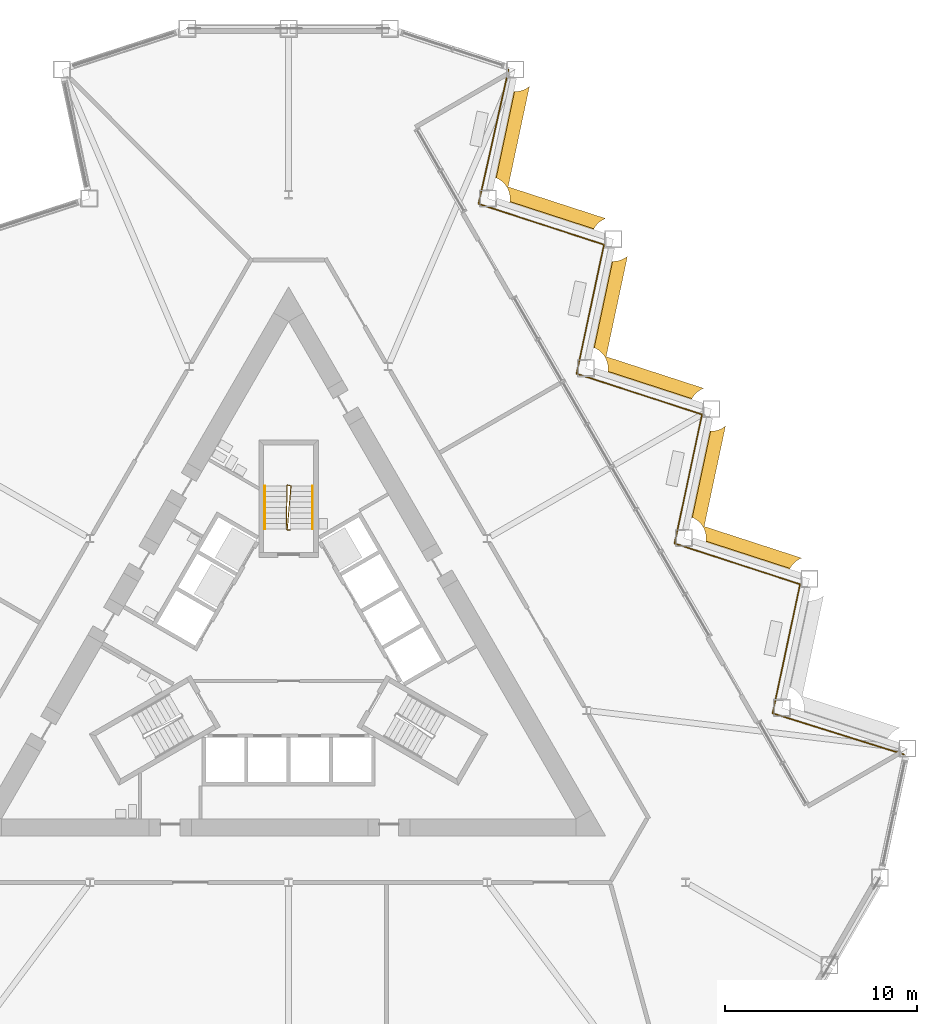
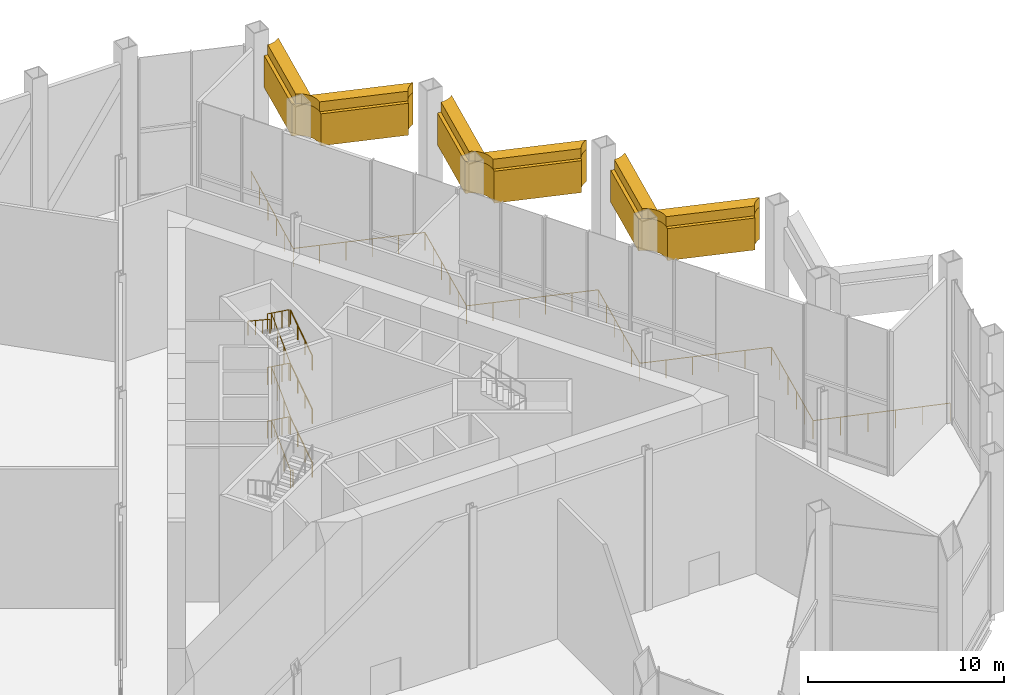
# One storey, part 16 of 18: 6 coverings, 6 railings.
"""IFC4 building model written with IfcOpenShell, lengths in metres."""

from ifc_helpers import new_model, si_unit, direction, frame, origin, origin_2d, place, context, subcontext, project, spatial, polyline, circle, outline, extrude, material, layer, layer_set, type_object, element, save


model = new_model("IFC4")

# Units and contexts
model_context = context("Model", 3, precision=1e-05, world=origin(), true_north=direction((0.0, 1.0)))
body_context = subcontext(model_context, "Body", "Model", "MODEL_VIEW")
ifc_project = project(units=[si_unit("LENGTHUNIT", "METRE"), si_unit("AREAUNIT", "SQUARE_METRE"), si_unit("VOLUMEUNIT", "CUBIC_METRE"), si_unit("PLANEANGLEUNIT", "RADIAN"), si_unit("MASSUNIT", "GRAM", prefix="KILO")], contexts=[model_context])

# Site, building, storey
site_placement = place(None, origin())
site = spatial("IfcSite", under=ifc_project, at=site_placement, CompositionType="ELEMENT")
building_placement = place(site_placement, origin())
building = spatial("IfcBuilding", under=site, at=building_placement, Name="Cormorant Prow Tower", CompositionType="ELEMENT")
storey_placement = place(building_placement, frame((0.0, 0.0, 154.199951171875)))
storey = spatial("IfcBuildingStorey", under=building, at=storey_placement, Name="L33", CompositionType="ELEMENT", Elevation=154.199951171875)

# Railings
ifc_material_1 = material(Name="Stainless steel", Category="steel")
railing_type_1 = type_object("IfcRailingType", Name="Stair guard 1100", PredefinedType="GUARDRAIL", material=ifc_material_1)
railing_1_placement = place(storey_placement, frame((0.074951171875, 6.40576171875, 0.0)))
element("IfcRailing", 1, at=railing_1_placement, inside=storey, type_object=railing_type_1, Name="L33 ST3 stair guard 1", PredefinedType="GUARDRAIL", context=body_context, shape_type="SweptSolid", body=[
    extrude(circle(Radius=0.02392578125, at=origin_2d()), frame((0.0, 0.0, 1.076171875), z_axis=(-1.0, 0.0, 0.0), x_axis=(0.0, -1.0, 0.0)), (0.0, 0.0, 1.0), 0.14990234375),
    extrude(circle(Radius=0.02392578125, at=origin_2d()), frame((-0.14990234375, 0.0, 1.076171875), z_axis=(0.070419712809, 0.806516368928, 0.587002905189), x_axis=(-0.996209839609, 0.086982500921, 0.0)), (0.0, 0.0, 1.0), 2.83935546875),
    extrude(circle(Radius=0.02392578125, at=origin_2d()), frame((0.050048828125, 2.2900390625, 2.74267578125), z_axis=(-0.970072785993, 0.242814311512, 0.0), x_axis=(-0.242814311512, -0.970072785993, 0.0)), (0.0, 0.0, 1.0), 0.2060546875),
    extrude(circle(Radius=0.02392578125, at=origin_2d()), frame((-0.14990234375, 2.340087890625, 2.74267578125), z_axis=(-0.017667533181, -0.80839737189, 0.58837194647), x_axis=(0.999761264773, -0.0218497931, 0.0)), (0.0, 0.0, 1.0), 2.832763671875),
    extrude(circle(Radius=0.02392578125, at=origin_2d()), frame((-0.199951171875, 0.050048828125, 4.40966796875), z_axis=(0.707106781187, -0.707106781187, 0.0), x_axis=(0.707106781187, 0.707106781187, 0.0)), (0.0, 0.0, 1.0), 0.07080078125),
    extrude(circle(Radius=0.02392578125, at=origin_2d()), frame((-0.14990234375, 0.0, 4.40966796875), z_axis=(0.070423267043, 0.80655707553, 0.586946545583), x_axis=(-0.996209839609, 0.086982500921, 0.0)), (0.0, 0.0, 1.0), 2.83935546875),
    extrude(circle(Radius=0.02392578125, at=origin_2d()), frame((0.050048828125, 2.2900390625, 6.076171875), z_axis=(-0.970072785993, 0.242814311512, 0.0), x_axis=(-0.242814311512, -0.970072785993, 0.0)), (0.0, 0.0, 1.0), 0.2060546875),
    extrude(circle(Radius=0.02392578125, at=origin_2d()), frame((-0.14990234375, 2.340087890625, 6.076171875), z_axis=(-0.017667533181, -0.80839737189, 0.58837194647), x_axis=(0.999761264773, -0.0218497931, 0.0)), (0.0, 0.0, 1.0), 2.832763671875),
    extrude(circle(Radius=0.02392578125, at=origin_2d()), frame((-0.199951171875, 0.050048828125, 7.74267578125), z_axis=(0.707106781187, -0.707106781187, 0.0), x_axis=(0.707106781187, 0.707106781187, 0.0)), (0.0, 0.0, 1.0), 0.07080078125),
    extrude(circle(Radius=0.02392578125, at=origin_2d()), frame((-0.14990234375, 0.0, 7.74267578125), z_axis=(0.070419712809, 0.806516368928, 0.587002905189), x_axis=(-0.996209839609, 0.086982500921, 0.0)), (0.0, 0.0, 1.0), 2.83935546875),
    extrude(circle(Radius=0.02392578125, at=origin_2d()), frame((0.050048828125, 2.2900390625, 9.40966796875), z_axis=(-0.970072785993, 0.242814311512, 0.0), x_axis=(-0.242814311512, -0.970072785993, 0.0)), (0.0, 0.0, 1.0), 0.2060546875),
    extrude(circle(Radius=0.02392578125, at=origin_2d()), frame((-0.14990234375, 2.340087890625, 9.40966796875), z_axis=(-0.017668429064, -0.808438363986, 0.58831559409), x_axis=(0.999761264773, -0.0218497931, 0.0)), (0.0, 0.0, 1.0), 2.832763671875),
    extrude(circle(Radius=0.02099609375, at=origin_2d()), origin(), (0.0, 0.0, 1.0), 1.052001953125),
    extrude(circle(Radius=0.02099609375, at=origin_2d()), frame((-0.14990234375, 0.0, 0.0)), (0.0, 0.0, 1.0), 1.052001953125),
    extrude(circle(Radius=0.02099609375, at=origin_2d()), frame((-0.083251953125, 0.763427734375, 0.5556640625)), (0.0, 0.0, 1.0), 1.052001953125),
    extrude(circle(Radius=0.02099609375, at=origin_2d()), frame((-0.0166015625, 1.526611328125, 1.111083984375)), (0.0, 0.0, 1.0), 1.052001953125),
    extrude(circle(Radius=0.02099609375, at=origin_2d()), frame((0.050048828125, 2.2900390625, 1.666748046875)), (0.0, 0.0, 1.0), 1.052001953125),
    extrude(circle(Radius=0.02099609375, at=origin_2d()), frame((-0.14990234375, 2.340087890625, 1.666748046875)), (0.0, 0.0, 1.0), 1.052001953125),
    extrude(circle(Radius=0.02099609375, at=origin_2d()), frame((-0.16650390625, 1.57666015625, 2.222412109375)), (0.0, 0.0, 1.0), 1.052001953125),
    extrude(circle(Radius=0.02099609375, at=origin_2d()), frame((-0.183349609375, 0.8134765625, 2.77783203125)), (0.0, 0.0, 1.0), 1.052001953125),
    extrude(circle(Radius=0.02099609375, at=origin_2d()), frame((-0.199951171875, 0.050048828125, 3.33349609375)), (0.0, 0.0, 1.0), 1.052001953125),
    extrude(circle(Radius=0.02099609375, at=origin_2d()), frame((-0.14990234375, 0.0, 3.33349609375)), (0.0, 0.0, 1.0), 1.052001953125),
    extrude(circle(Radius=0.02099609375, at=origin_2d()), frame((-0.083251953125, 0.763427734375, 3.888916015625)), (0.0, 0.0, 1.0), 1.052001953125),
    extrude(circle(Radius=0.02099609375, at=origin_2d()), frame((-0.0166015625, 1.526611328125, 4.444580078125)), (0.0, 0.0, 1.0), 1.052001953125),
    extrude(circle(Radius=0.02099609375, at=origin_2d()), frame((0.050048828125, 2.2900390625, 5.0)), (0.0, 0.0, 1.0), 1.052001953125),
    extrude(circle(Radius=0.02099609375, at=origin_2d()), frame((-0.14990234375, 2.340087890625, 5.0)), (0.0, 0.0, 1.0), 1.052001953125),
    extrude(circle(Radius=0.02099609375, at=origin_2d()), frame((-0.16650390625, 1.57666015625, 5.5556640625)), (0.0, 0.0, 1.0), 1.052001953125),
    extrude(circle(Radius=0.02099609375, at=origin_2d()), frame((-0.183349609375, 0.8134765625, 6.111083984375)), (0.0, 0.0, 1.0), 1.052001953125),
    extrude(circle(Radius=0.02099609375, at=origin_2d()), frame((-0.199951171875, 0.050048828125, 6.666748046875)), (0.0, 0.0, 1.0), 1.052001953125),
    extrude(circle(Radius=0.02099609375, at=origin_2d()), frame((-0.14990234375, 0.0, 6.666748046875)), (0.0, 0.0, 1.0), 1.052001953125),
    extrude(circle(Radius=0.02099609375, at=origin_2d()), frame((-0.083251953125, 0.763427734375, 7.222412109375)), (0.0, 0.0, 1.0), 1.052001953125),
    extrude(circle(Radius=0.02099609375, at=origin_2d()), frame((-0.0166015625, 1.526611328125, 7.77783203125)), (0.0, 0.0, 1.0), 1.052001953125),
    extrude(circle(Radius=0.02099609375, at=origin_2d()), frame((0.050048828125, 2.2900390625, 8.33349609375)), (0.0, 0.0, 1.0), 1.052001953125),
    extrude(circle(Radius=0.02099609375, at=origin_2d()), frame((-0.14990234375, 2.340087890625, 8.33349609375)), (0.0, 0.0, 1.0), 1.052001953125),
    extrude(circle(Radius=0.02099609375, at=origin_2d()), frame((-0.16650390625, 1.57666015625, 8.888916015625)), (0.0, 0.0, 1.0), 1.052001953125),
    extrude(circle(Radius=0.02099609375, at=origin_2d()), frame((-0.183349609375, 0.8134765625, 9.444580078125)), (0.0, 0.0, 1.0), 1.052001953125),
    extrude(circle(Radius=0.02099609375, at=origin_2d()), frame((-0.199951171875, 0.050048828125, 10.0)), (0.0, 0.0, 1.0), 1.052001953125),
])
ifc_material_2 = material(Name="Stainless steel", Category="steel")
railing_type_2 = type_object("IfcRailingType", Name="Stair handrail 900", PredefinedType="HANDRAIL", material=ifc_material_2)
for number, where, name in (
    (2, (1.243896484375, 6.455810546875, 0.185302734375), "L33 ST3 stair handrail 1"),
    (3, (1.243896484375, 6.455810546875, 3.5185546875), "L33 ST3 stair handrail 3"),
):
    element("IfcRailing", number, at=place(storey_placement, frame(where)), inside=storey, type_object=railing_type_2, Name=name, PredefinedType="HANDRAIL", context=body_context, shape_type="SweptSolid", body=[
        extrude(circle(Radius=0.02392578125, at=origin_2d()), frame((0.0, 0.0, 0.8759765625), z_axis=(0.0, 0.83408660425, 0.551633516577), x_axis=(-1.0, 0.0, 0.0)), (0.0, 0.0, 1.0), 2.685546875),
        extrude(circle(Radius=0.02099609375, at=origin_2d()), origin(), (0.0, 0.0, 1.0), 0.851806640625),
        extrude(circle(Radius=0.02099609375, at=origin_2d()), frame((0.0, 0.74658203125, 0.493896484375)), (0.0, 0.0, 1.0), 0.851806640625),
        extrude(circle(Radius=0.02099609375, at=origin_2d()), frame((0.0, 1.493408203125, 0.987548828125)), (0.0, 0.0, 1.0), 0.851806640625),
        extrude(circle(Radius=0.02099609375, at=origin_2d()), frame((0.0, 2.239990234375, 1.4814453125)), (0.0, 0.0, 1.0), 0.851806640625),
    ])
railing_2_placement = place(storey_placement, frame((1.243896484375, 6.455810546875, 6.851806640625)))
element("IfcRailing", 4, at=railing_2_placement, inside=storey, type_object=railing_type_2, Name="L33 ST3 stair handrail 5", PredefinedType="HANDRAIL", context=body_context, shape_type="SweptSolid", body=[
    extrude(circle(Radius=0.02392578125, at=origin_2d()), frame((0.0, 0.0, 0.8759765625), z_axis=(0.0, 0.834044775973, 0.551696756989), x_axis=(-1.0, 0.0, 0.0)), (0.0, 0.0, 1.0), 2.685791015625),
    extrude(circle(Radius=0.02099609375, at=origin_2d()), origin(), (0.0, 0.0, 1.0), 0.851806640625),
    extrude(circle(Radius=0.02099609375, at=origin_2d()), frame((0.0, 0.74658203125, 0.493896484375)), (0.0, 0.0, 1.0), 0.851806640625),
    extrude(circle(Radius=0.02099609375, at=origin_2d()), frame((0.0, 1.493408203125, 0.98779296875)), (0.0, 0.0, 1.0), 0.851806640625),
    extrude(circle(Radius=0.02099609375, at=origin_2d()), frame((0.0, 2.239990234375, 1.481689453125)), (0.0, 0.0, 1.0), 0.851806640625),
])
railing_3_placement = place(storey_placement, frame((-1.243896484375, 8.69580078125, 8.5185546875)))
element("IfcRailing", 5, at=railing_3_placement, inside=storey, type_object=railing_type_2, Name="L33 ST3 stair handrail 6", PredefinedType="HANDRAIL", context=body_context, shape_type="SweptSolid", body=[
    extrude(circle(Radius=0.02392578125, at=origin_2d()), frame((0.0, 0.0, 0.8759765625), z_axis=(0.0, -0.83408660425, 0.551633516577), x_axis=(1.0, 0.0, 0.0)), (0.0, 0.0, 1.0), 2.685546875),
    extrude(circle(Radius=0.02099609375, at=origin_2d()), origin(), (0.0, 0.0, 1.0), 0.851806640625),
    extrude(circle(Radius=0.02099609375, at=origin_2d()), frame((0.0, -0.74658203125, 0.493896484375)), (0.0, 0.0, 1.0), 0.851806640625),
    extrude(circle(Radius=0.02099609375, at=origin_2d()), frame((0.0, -1.493408203125, 0.987548828125)), (0.0, 0.0, 1.0), 0.851806640625),
    extrude(circle(Radius=0.02099609375, at=origin_2d()), frame((0.0, -2.239990234375, 1.4814453125)), (0.0, 0.0, 1.0), 0.851806640625),
])
ifc_material_3 = material(Name="Aluminium 6063-T6", Category="aluminium")
railing_type_3 = type_object("IfcRailingType", Name="Terrace guard 1150", PredefinedType="GUARDRAIL", material=ifc_material_3)
railing_4_placement = place(storey_placement, frame((32.011474609375, -5.271240234375, 0.0)))
element("IfcRailing", 6, at=railing_4_placement, inside=storey, type_object=railing_type_3, Name="Terrace guard ENE", PredefinedType="GUARDRAIL", context=body_context, shape_type="SweptSolid", body=[
    extrude(circle(Radius=0.02392578125, at=origin_2d()), frame((0.0, 0.0, 1.1259765625), z_axis=(-0.954182191953, 0.299226243099, 0.0), x_axis=(-0.299226243099, -0.954182191953, 0.0)), (0.0, 0.0, 1.0), 7.15966796875),
    extrude(circle(Radius=0.02392578125, at=origin_2d()), frame((-6.83154296875, 2.142333984375, 1.1259765625), z_axis=(0.207910666024, 0.97814781856, 0.0), x_axis=(-0.97814781856, 0.207910666024, 0.0)), (0.0, 0.0, 1.0), 6.8623046875),
    extrude(circle(Radius=0.02392578125, at=origin_2d()), frame((-5.40478515625, 8.854736328125, 1.1259765625), z_axis=(-0.951046878407, 0.309046655172, 0.0), x_axis=(-0.309046655172, -0.951046878407, 0.0)), (0.0, 0.0, 1.0), 6.862548828125),
    extrude(circle(Radius=0.02392578125, at=origin_2d()), frame((-11.931396484375, 10.9755859375, 1.1259765625), z_axis=(0.207903431115, 0.978149356351, 0.0), x_axis=(-0.978149356351, 0.207903431115, 0.0)), (0.0, 0.0, 1.0), 6.862548828125),
    extrude(circle(Radius=0.02392578125, at=origin_2d()), frame((-10.504638671875, 17.688232421875, 1.1259765625), z_axis=(-0.951060731322, 0.309004021555, 0.0), x_axis=(-0.309004021555, -0.951060731322, 0.0)), (0.0, 0.0, 1.0), 6.86279296875),
    extrude(circle(Radius=0.02392578125, at=origin_2d()), frame((-17.031494140625, 19.808837890625, 1.1259765625), z_axis=(0.207937468562, 0.97814212115, 0.0), x_axis=(-0.97814212115, 0.207937468562, 0.0)), (0.0, 0.0, 1.0), 6.862548828125),
    extrude(circle(Radius=0.02392578125, at=origin_2d()), frame((-15.6044921875, 26.521484375, 1.1259765625), z_axis=(-0.951050276069, 0.309036199155, 0.0), x_axis=(-0.309036199155, -0.951050276069, 0.0)), (0.0, 0.0, 1.0), 6.86279296875),
    extrude(circle(Radius=0.02392578125, at=origin_2d()), frame((-22.13134765625, 28.642333984375, 1.1259765625), z_axis=(0.217970198458, 0.975955425511, 0.0), x_axis=(-0.975955425511, 0.217970198458, 0.0)), (0.0, 0.0, 1.0), 7.159423828125),
    extrude(circle(Radius=0.02099609375, at=origin_2d()), origin(), (0.0, 0.0, 1.0), 1.101806640625),
    extrude(circle(Radius=0.02099609375, at=origin_2d()), frame((-1.3662109375, 0.428466796875, 0.0)), (0.0, 0.0, 1.0), 1.101806640625),
    extrude(circle(Radius=0.02099609375, at=origin_2d()), frame((-2.732666015625, 0.85693359375, 0.0)), (0.0, 0.0, 1.0), 1.101806640625),
    extrude(circle(Radius=0.02099609375, at=origin_2d()), frame((-4.098876953125, 1.285400390625, 0.0)), (0.0, 0.0, 1.0), 1.101806640625),
    extrude(circle(Radius=0.02099609375, at=origin_2d()), frame((-5.46533203125, 1.7138671875, 0.0)), (0.0, 0.0, 1.0), 1.101806640625),
    extrude(circle(Radius=0.02099609375, at=origin_2d()), frame((-6.83154296875, 2.142333984375, 0.0)), (0.0, 0.0, 1.0), 1.101806640625),
    extrude(circle(Radius=0.02099609375, at=origin_2d()), frame((-6.546142578125, 3.48486328125, 0.0)), (0.0, 0.0, 1.0), 1.101806640625),
    extrude(circle(Radius=0.02099609375, at=origin_2d()), frame((-6.2607421875, 4.827392578125, 0.0)), (0.0, 0.0, 1.0), 1.101806640625),
    extrude(circle(Radius=0.02099609375, at=origin_2d()), frame((-5.9755859375, 6.169677734375, 0.0)), (0.0, 0.0, 1.0), 1.101806640625),
    extrude(circle(Radius=0.02099609375, at=origin_2d()), frame((-5.690185546875, 7.51220703125, 0.0)), (0.0, 0.0, 1.0), 1.101806640625),
    extrude(circle(Radius=0.02099609375, at=origin_2d()), frame((-5.40478515625, 8.854736328125, 0.0)), (0.0, 0.0, 1.0), 1.101806640625),
    extrude(circle(Radius=0.02099609375, at=origin_2d()), frame((-6.710205078125, 9.27880859375, 0.0)), (0.0, 0.0, 1.0), 1.101806640625),
    extrude(circle(Radius=0.02099609375, at=origin_2d()), frame((-8.015380859375, 9.703125, 0.0)), (0.0, 0.0, 1.0), 1.101806640625),
    extrude(circle(Radius=0.02099609375, at=origin_2d()), frame((-9.32080078125, 10.127197265625, 0.0)), (0.0, 0.0, 1.0), 1.101806640625),
    extrude(circle(Radius=0.02099609375, at=origin_2d()), frame((-10.6259765625, 10.551513671875, 0.0)), (0.0, 0.0, 1.0), 1.101806640625),
    extrude(circle(Radius=0.02099609375, at=origin_2d()), frame((-11.931396484375, 10.9755859375, 0.0)), (0.0, 0.0, 1.0), 1.101806640625),
    extrude(circle(Radius=0.02099609375, at=origin_2d()), frame((-11.64599609375, 12.318115234375, 0.0)), (0.0, 0.0, 1.0), 1.101806640625),
    extrude(circle(Radius=0.02099609375, at=origin_2d()), frame((-11.360595703125, 13.66064453125, 0.0)), (0.0, 0.0, 1.0), 1.101806640625),
    extrude(circle(Radius=0.02099609375, at=origin_2d()), frame((-11.075439453125, 15.003173828125, 0.0)), (0.0, 0.0, 1.0), 1.101806640625),
    extrude(circle(Radius=0.02099609375, at=origin_2d()), frame((-10.7900390625, 16.345703125, 0.0)), (0.0, 0.0, 1.0), 1.101806640625),
    extrude(circle(Radius=0.02099609375, at=origin_2d()), frame((-10.504638671875, 17.688232421875, 0.0)), (0.0, 0.0, 1.0), 1.101806640625),
    extrude(circle(Radius=0.02099609375, at=origin_2d()), frame((-11.81005859375, 18.1123046875, 0.0)), (0.0, 0.0, 1.0), 1.101806640625),
    extrude(circle(Radius=0.02099609375, at=origin_2d()), frame((-13.115478515625, 18.536376953125, 0.0)), (0.0, 0.0, 1.0), 1.101806640625),
    extrude(circle(Radius=0.02099609375, at=origin_2d()), frame((-14.420654296875, 18.960693359375, 0.0)), (0.0, 0.0, 1.0), 1.101806640625),
    extrude(circle(Radius=0.02099609375, at=origin_2d()), frame((-15.72607421875, 19.384765625, 0.0)), (0.0, 0.0, 1.0), 1.101806640625),
    extrude(circle(Radius=0.02099609375, at=origin_2d()), frame((-17.031494140625, 19.808837890625, 0.0)), (0.0, 0.0, 1.0), 1.101806640625),
    extrude(circle(Radius=0.02099609375, at=origin_2d()), frame((-16.74609375, 21.1513671875, 0.0)), (0.0, 0.0, 1.0), 1.101806640625),
    extrude(circle(Radius=0.02099609375, at=origin_2d()), frame((-16.460693359375, 22.493896484375, 0.0)), (0.0, 0.0, 1.0), 1.101806640625),
    extrude(circle(Radius=0.02099609375, at=origin_2d()), frame((-16.17529296875, 23.83642578125, 0.0)), (0.0, 0.0, 1.0), 1.101806640625),
    extrude(circle(Radius=0.02099609375, at=origin_2d()), frame((-15.889892578125, 25.178955078125, 0.0)), (0.0, 0.0, 1.0), 1.101806640625),
    extrude(circle(Radius=0.02099609375, at=origin_2d()), frame((-15.6044921875, 26.521484375, 0.0)), (0.0, 0.0, 1.0), 1.101806640625),
    extrude(circle(Radius=0.02099609375, at=origin_2d()), frame((-16.909912109375, 26.945556640625, 0.0)), (0.0, 0.0, 1.0), 1.101806640625),
    extrude(circle(Radius=0.02099609375, at=origin_2d()), frame((-18.21533203125, 27.369873046875, 0.0)), (0.0, 0.0, 1.0), 1.101806640625),
    extrude(circle(Radius=0.02099609375, at=origin_2d()), frame((-19.5205078125, 27.7939453125, 0.0)), (0.0, 0.0, 1.0), 1.101806640625),
    extrude(circle(Radius=0.02099609375, at=origin_2d()), frame((-20.825927734375, 28.21826171875, 0.0)), (0.0, 0.0, 1.0), 1.101806640625),
    extrude(circle(Radius=0.02099609375, at=origin_2d()), frame((-22.13134765625, 28.642333984375, 0.0)), (0.0, 0.0, 1.0), 1.101806640625),
    extrude(circle(Radius=0.02099609375, at=origin_2d()), frame((-21.8193359375, 30.039794921875, 0.0)), (0.0, 0.0, 1.0), 1.101806640625),
    extrude(circle(Radius=0.02099609375, at=origin_2d()), frame((-21.507080078125, 31.437255859375, 0.0)), (0.0, 0.0, 1.0), 1.101806640625),
    extrude(circle(Radius=0.02099609375, at=origin_2d()), frame((-21.195068359375, 32.834716796875, 0.0)), (0.0, 0.0, 1.0), 1.101806640625),
    extrude(circle(Radius=0.02099609375, at=origin_2d()), frame((-20.8828125, 34.232177734375, 0.0)), (0.0, 0.0, 1.0), 1.101806640625),
    extrude(circle(Radius=0.02099609375, at=origin_2d()), frame((-20.57080078125, 35.629638671875, 0.0)), (0.0, 0.0, 1.0), 1.101806640625),
])

# Coverings
ifc_material_4 = material(Name="Terracotta", Category="masonry")
ifc_layer = layer(ifc_material_4, 0.89990234375)
ifc_layer_set = layer_set([ifc_layer], Name="Terracotta")
covering_type = type_object("IfcCoveringType", Name="Terrace lintel fascia 900", PredefinedType="CLADDING", material=ifc_layer_set)
covering_1_placement = place(storey_placement, frame((0.0, 0.0, 7.0)))
element("IfcCovering", 7, at=covering_1_placement, inside=storey, type_object=covering_type, Name="Terrace lintel L33", PredefinedType="CLADDING", context=body_context, shape_type="SweptSolid", body=[
    extrude(outline(polyline([(21.662353515625, 5.6318359375), (21.669921875, 5.653076171875), (21.697509765625, 5.762451171875), (21.7138671875, 5.874267578125), (21.719482421875, 5.98681640625), (21.7138671875, 6.099609375), (21.697509765625, 6.211181640625), (21.669921875, 6.32080078125), (21.6318359375, 6.427001953125), (21.583740234375, 6.529052734375), (21.525634765625, 6.625732421875), (21.45849609375, 6.71630859375), (21.382568359375, 6.800048828125), (21.299072265625, 6.8759765625), (21.20849609375, 6.943115234375), (21.111572265625, 7.001220703125), (21.009521484375, 7.04931640625), (20.9033203125, 7.08740234375), (20.808349609375, 7.111083984375), (21.75732421875, 11.5751953125), (21.77197265625, 11.57177734375), (21.883544921875, 11.55517578125), (21.996337890625, 11.549560546875), (22.10888671875, 11.55517578125), (22.220703125, 11.57177734375), (22.330078125, 11.59912109375), (22.436279296875, 11.63720703125), (22.538330078125, 11.685302734375), (22.63525390625, 11.743408203125), (22.725830078125, 11.810546875), (22.727783203125, 11.8125), (21.618408203125, 6.59228515625), (26.695556640625, 4.942626953125), (26.65625, 4.9287109375), (26.55419921875, 4.88037109375), (26.457275390625, 4.822509765625), (26.36669921875, 4.755126953125), (26.283203125, 4.679443359375), (26.207275390625, 4.595703125), (26.139892578125, 4.505126953125), (26.08203125, 4.408203125), (26.03369140625, 4.306396484375), (26.00341796875, 4.22119140625), (21.662353515625, 5.6318359375)])), origin(), (0.0, 0.0, 1.0), 1.989013671875),
])
covering_2_placement = place(storey_placement, frame((0.0, 0.0, 7.0)))
element("IfcCovering", 8, at=covering_2_placement, inside=storey, type_object=covering_type, Name="Terrace lintel L33 part 2", PredefinedType="CLADDING", context=body_context, shape_type="SweptSolid", body=[
    extrude(outline(polyline([(16.5625, 14.465087890625), (16.570068359375, 14.486328125), (16.597412109375, 14.595947265625), (16.614013671875, 14.70751953125), (16.619384765625, 14.8203125), (16.614013671875, 14.93310546875), (16.597412109375, 15.044677734375), (16.570068359375, 15.154052734375), (16.531982421875, 15.26025390625), (16.483642578125, 15.3623046875), (16.42578125, 15.458984375), (16.3583984375, 15.5498046875), (16.28271484375, 15.63330078125), (16.19921875, 15.709228515625), (16.1083984375, 15.7763671875), (16.01171875, 15.83447265625), (15.90966796875, 15.8828125), (15.803466796875, 15.920654296875), (15.70849609375, 15.944580078125), (16.657470703125, 20.40869140625), (16.672119140625, 20.405029296875), (16.78369140625, 20.388427734375), (16.896484375, 20.3828125), (17.009033203125, 20.388427734375), (17.12060546875, 20.405029296875), (17.230224609375, 20.432373046875), (17.33642578125, 20.470458984375), (17.4384765625, 20.518798828125), (17.535400390625, 20.57666015625), (17.6259765625, 20.64404296875), (17.6279296875, 20.645751953125), (16.518310546875, 15.42578125), (21.595458984375, 13.776123046875), (21.55615234375, 13.761962890625), (21.4541015625, 13.7138671875), (21.357421875, 13.65576171875), (21.2666015625, 13.58837890625), (21.18310546875, 13.5126953125), (21.107421875, 13.42919921875), (21.0400390625, 13.33837890625), (20.982177734375, 13.24169921875), (20.933837890625, 13.1396484375), (20.9033203125, 13.0546875), (16.5625, 14.465087890625)])), origin(), (0.0, 0.0, 1.0), 1.989013671875),
])
covering_3_placement = place(storey_placement, frame((0.0, 0.0, 7.0)))
element("IfcCovering", 9, at=covering_3_placement, inside=storey, type_object=covering_type, Name="Terrace lintel L33 part 3", PredefinedType="CLADDING", context=body_context, shape_type="SweptSolid", body=[
    extrude(outline(polyline([(11.46240234375, 23.298583984375), (11.47021484375, 23.31982421875), (11.49755859375, 23.42919921875), (11.51416015625, 23.541015625), (11.51953125, 23.653564453125), (11.51416015625, 23.766357421875), (11.49755859375, 23.8779296875), (11.47021484375, 23.9873046875), (11.43212890625, 24.09375), (11.3837890625, 24.19580078125), (11.32568359375, 24.29248046875), (11.258544921875, 24.383056640625), (11.182861328125, 24.466796875), (11.09912109375, 24.54248046875), (11.008544921875, 24.60986328125), (10.91162109375, 24.667724609375), (10.809814453125, 24.716064453125), (10.703369140625, 24.754150390625), (10.608642578125, 24.77783203125), (11.5576171875, 29.241943359375), (11.572021484375, 29.23828125), (11.68359375, 29.2216796875), (11.79638671875, 29.21630859375), (11.9091796875, 29.2216796875), (12.020751953125, 29.23828125), (12.130126953125, 29.265869140625), (12.236572265625, 29.3037109375), (12.33837890625, 29.35205078125), (12.435302734375, 29.41015625), (12.52587890625, 29.477294921875), (12.528076171875, 29.47900390625), (11.41845703125, 24.259033203125), (16.49560546875, 22.609619140625), (16.456298828125, 22.595458984375), (16.354248046875, 22.547119140625), (16.257568359375, 22.489013671875), (16.166748046875, 22.421875), (16.083251953125, 22.34619140625), (16.00732421875, 22.262451171875), (15.940185546875, 22.171875), (15.882080078125, 22.074951171875), (15.833984375, 21.972900390625), (15.803466796875, 21.887939453125), (11.46240234375, 23.298583984375)])), origin(), (0.0, 0.0, 1.0), 1.989013671875),
])
covering_4_placement = place(storey_placement, frame((0.0, 0.0, 8.989013671875)))
element("IfcCovering", 10, at=covering_4_placement, inside=storey, type_object=covering_type, Name="Terrace lintel L33 head", PredefinedType="CLADDING", context=body_context, shape_type="SweptSolid", body=[
    extrude(outline(polyline([(21.7138671875, 5.874267578125), (21.719482421875, 5.98681640625), (21.7138671875, 6.099609375), (21.697509765625, 6.211181640625), (21.669921875, 6.32080078125), (21.6318359375, 6.427001953125), (21.583740234375, 6.529052734375), (21.525634765625, 6.625732421875), (21.45849609375, 6.71630859375), (21.382568359375, 6.800048828125), (21.299072265625, 6.8759765625), (21.20849609375, 6.943115234375), (21.111572265625, 7.001220703125), (21.009521484375, 7.04931640625), (21.00048828125, 7.052490234375), (21.956787109375, 11.551513671875), (21.996337890625, 11.549560546875), (22.10888671875, 11.55517578125), (22.220703125, 11.57177734375), (22.330078125, 11.59912109375), (22.436279296875, 11.63720703125), (22.538330078125, 11.685302734375), (22.63525390625, 11.743408203125), (22.725830078125, 11.810546875), (22.727783203125, 11.8125), (21.618408203125, 6.59228515625), (26.695556640625, 4.942626953125), (26.65625, 4.9287109375), (26.55419921875, 4.88037109375), (26.457275390625, 4.822509765625), (26.36669921875, 4.755126953125), (26.283203125, 4.679443359375), (26.207275390625, 4.595703125), (26.139892578125, 4.505126953125), (26.08203125, 4.408203125), (26.0810546875, 4.40625), (21.70703125, 5.82763671875), (21.7138671875, 5.874267578125)])), origin(), (0.0, 0.0, 1.0), 0.611083984375),
])
covering_5_placement = place(storey_placement, frame((0.0, 0.0, 8.989013671875)))
element("IfcCovering", 11, at=covering_5_placement, inside=storey, type_object=covering_type, Name="Terrace lintel L33 head part 2", PredefinedType="CLADDING", context=body_context, shape_type="SweptSolid", body=[
    extrude(outline(polyline([(16.614013671875, 14.70751953125), (16.619384765625, 14.8203125), (16.614013671875, 14.93310546875), (16.597412109375, 15.044677734375), (16.570068359375, 15.154052734375), (16.531982421875, 15.26025390625), (16.483642578125, 15.3623046875), (16.42578125, 15.458984375), (16.3583984375, 15.5498046875), (16.28271484375, 15.63330078125), (16.19921875, 15.709228515625), (16.1083984375, 15.7763671875), (16.01171875, 15.83447265625), (15.90966796875, 15.8828125), (15.900390625, 15.885986328125), (16.856689453125, 20.385009765625), (16.896484375, 20.3828125), (17.009033203125, 20.388427734375), (17.12060546875, 20.405029296875), (17.230224609375, 20.432373046875), (17.33642578125, 20.470458984375), (17.4384765625, 20.518798828125), (17.535400390625, 20.57666015625), (17.6259765625, 20.64404296875), (17.6279296875, 20.645751953125), (16.518310546875, 15.42578125), (21.595458984375, 13.776123046875), (21.55615234375, 13.761962890625), (21.4541015625, 13.7138671875), (21.357421875, 13.65576171875), (21.2666015625, 13.58837890625), (21.18310546875, 13.5126953125), (21.107421875, 13.42919921875), (21.0400390625, 13.33837890625), (20.982177734375, 13.24169921875), (20.981201171875, 13.23974609375), (16.607177734375, 14.660888671875), (16.614013671875, 14.70751953125)])), origin(), (0.0, 0.0, 1.0), 0.611083984375),
])
covering_6_placement = place(storey_placement, frame((0.0, 0.0, 8.989013671875)))
element("IfcCovering", 12, at=covering_6_placement, inside=storey, type_object=covering_type, Name="Terrace lintel L33 head part 3", PredefinedType="CLADDING", context=body_context, shape_type="SweptSolid", body=[
    extrude(outline(polyline([(11.51416015625, 23.541015625), (11.51953125, 23.653564453125), (11.51416015625, 23.766357421875), (11.49755859375, 23.8779296875), (11.47021484375, 23.9873046875), (11.43212890625, 24.09375), (11.3837890625, 24.19580078125), (11.32568359375, 24.29248046875), (11.258544921875, 24.383056640625), (11.182861328125, 24.466796875), (11.09912109375, 24.54248046875), (11.008544921875, 24.60986328125), (10.91162109375, 24.667724609375), (10.809814453125, 24.716064453125), (10.800537109375, 24.71923828125), (11.7568359375, 29.21826171875), (11.79638671875, 29.21630859375), (11.9091796875, 29.2216796875), (12.020751953125, 29.23828125), (12.130126953125, 29.265869140625), (12.236572265625, 29.3037109375), (12.33837890625, 29.35205078125), (12.435302734375, 29.41015625), (12.52587890625, 29.477294921875), (12.528076171875, 29.47900390625), (11.41845703125, 24.259033203125), (16.49560546875, 22.609619140625), (16.456298828125, 22.595458984375), (16.354248046875, 22.547119140625), (16.257568359375, 22.489013671875), (16.166748046875, 22.421875), (16.083251953125, 22.34619140625), (16.00732421875, 22.262451171875), (15.940185546875, 22.171875), (15.882080078125, 22.074951171875), (15.881103515625, 22.072998046875), (11.507080078125, 23.494384765625), (11.51416015625, 23.541015625)])), origin(), (0.0, 0.0, 1.0), 0.611083984375),
])

save(model, "model.ifc")
